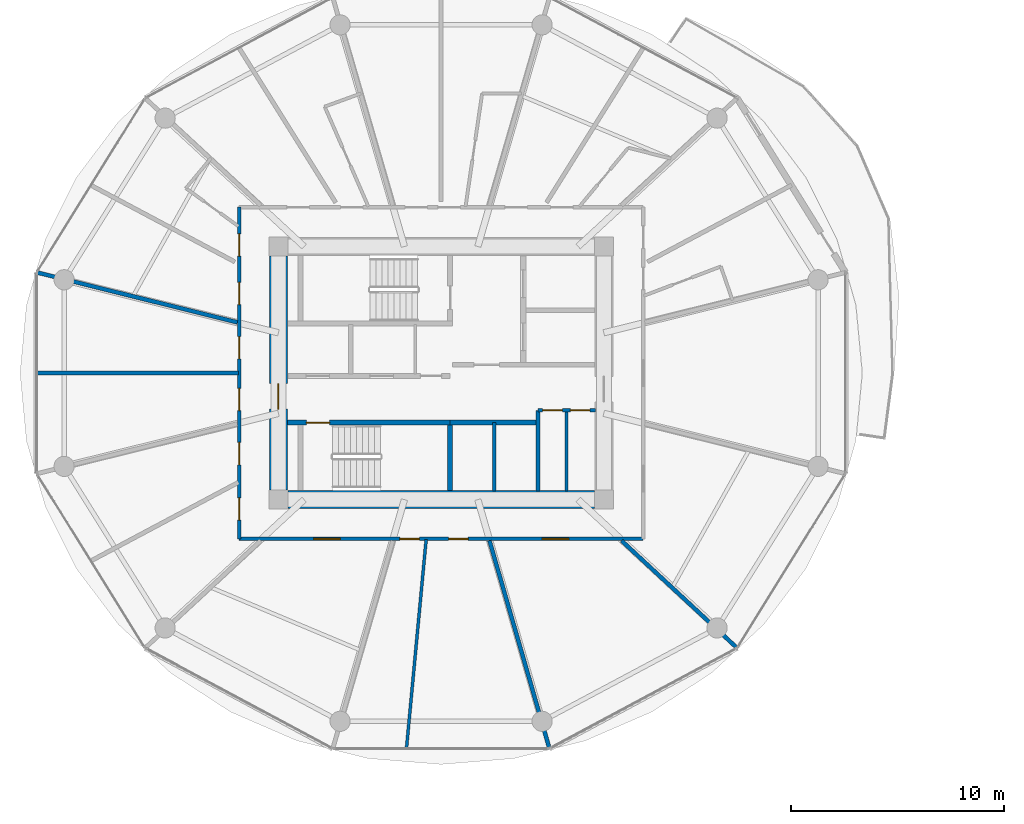
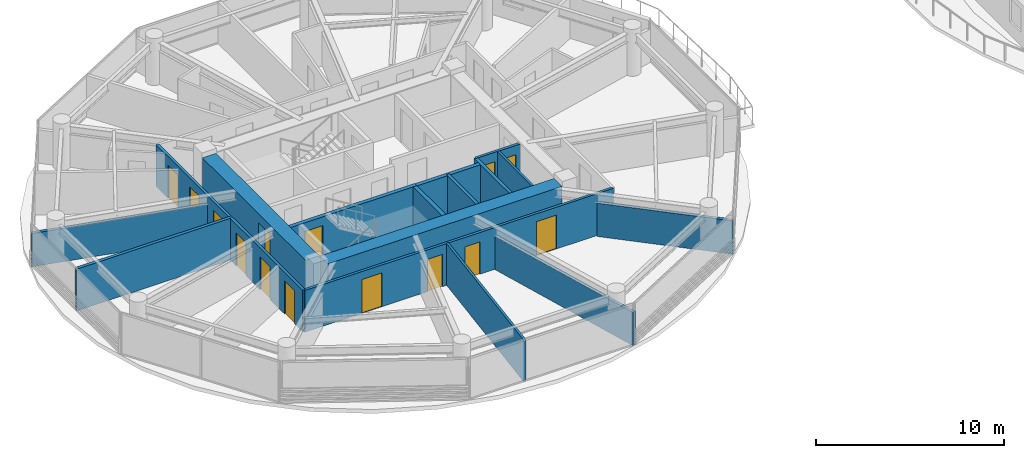
# One storey, part 15 of 26: 16 walls, 14 doors, 14 openings.
"""IFC4 building model written with IfcOpenShell, lengths in metres."""

from ifc_helpers import new_model, si_unit, direction, frame, frame_2d, origin, place, context, subcontext, project, spatial, rectangle, extrude, source, transform, mapped, material, layer, layer_set, type_object, type_shapes, element, fill, save


model = new_model("IFC4")

# Units and contexts
model_context = context("Model", 3, precision=1e-05, world=origin(), true_north=direction((0.0, 1.0)))
body_context = subcontext(model_context, "Body", "Model", "MODEL_VIEW")
ifc_project = project(units=[si_unit("LENGTHUNIT", "METRE"), si_unit("AREAUNIT", "SQUARE_METRE"), si_unit("VOLUMEUNIT", "CUBIC_METRE"), si_unit("PLANEANGLEUNIT", "RADIAN"), si_unit("MASSUNIT", "GRAM", prefix="KILO")], contexts=[model_context])

# Site, building, storey
site_placement = place(None, origin())
site = spatial("IfcSite", under=ifc_project, at=site_placement, CompositionType="ELEMENT")
building_placement = place(site_placement, origin())
building = spatial("IfcBuilding", under=site, at=building_placement, Name="Norrkilde Senior Care Towers", CompositionType="ELEMENT")
storey_placement = place(building_placement, frame((0.0, 0.0, 70.39990234375)))
storey = spatial("IfcBuildingStorey", under=building, at=storey_placement, Name="L21", CompositionType="ELEMENT", Elevation=70.39990234375)

# Wall
ifc_material_1 = material(Name="Concrete C60/75", Category="concrete")
ifc_layer_1 = layer(ifc_material_1, 0.85009765625)
ifc_layer_set_1 = layer_set([ifc_layer_1], Name="Concrete C60/75")
wall_type_1 = type_object("IfcWallType", Name="Core Shear Wall Z1 850", PredefinedType="SHEAR", material=ifc_layer_set_1)
shared_shape_1 = source(origin(), body_context, "Body", "SweptSolid", [
    extrude(rectangle(XDim=14.39990234375, YDim=0.85009765625, at=frame_2d((7.199951171875, 0.0))), origin(), (0.0, 0.0, 1.0), 2.72998046875),
])
wall_1_placement = place(storey_placement, frame((-20.800048828125, -5.949951171875, 0.0), z_axis=(0.0, 0.0, 1.0), x_axis=(-1.0, 0.0, 0.0)))
element("IfcWall", 1, at=wall_1_placement, inside=storey, type_object=wall_type_1, Name="L21 Core W South Shear Wall", PredefinedType="SHEAR", context=body_context, shape_type="MappedRepresentation", body=[
    mapped(shared_shape_1, transform((0.0, 0.0, 0.0), x_axis=(1.0, 0.0, 0.0), y_axis=(0.0, 1.0, 0.0), z_axis=(0.0, 0.0, 1.0), scale=1.0)),
])

# Wall, opening, door
shared_shape_2 = source(origin(), body_context, "Body", "SweptSolid", [
    extrude(rectangle(XDim=11.0, YDim=0.85009765625, at=frame_2d((5.5, 0.0))), origin(), (0.0, 0.0, 1.0), 2.72998046875),
])
type_shapes(wall_type_1, [shared_shape_1, shared_shape_2])
wall_2_placement = place(storey_placement, frame((-35.64990234375, -5.5, 0.0), z_axis=(0.0, 0.0, 1.0), x_axis=(0.0, 1.0, 0.0)))
wall_2 = element("IfcWall", 2, at=wall_2_placement, inside=storey, type_object=wall_type_1, Name="L21 Core W West Shear Wall", PredefinedType="SHEAR", context=body_context, shape_type="MappedRepresentation", body=[
    mapped(shared_shape_2, transform((0.0, 0.0, 0.0), x_axis=(1.0, 0.0, 0.0), y_axis=(0.0, 1.0, 0.0), z_axis=(0.0, 0.0, 1.0), scale=1.0)),
])
opening_1_placement = place(wall_2_placement, frame((3.800048828125, 0.0, 0.0)))
opening_1 = element("IfcOpeningElement", 3, at=opening_1_placement, cuts=wall_2, Name="Opening D-04", PredefinedType="OPENING", context=body_context, shape_type="SweptSolid", body=[
    extrude(rectangle(XDim=1.199951171875, YDim=2.14990234375, at=frame_2d((0.60009765625, 1.074951171875))), frame((0.0, 0.43505859375, 0.0), z_axis=(0.0, -1.0, 0.0), x_axis=(1.0, 0.0, 0.0)), (0.0, 0.0, 1.0), 0.8701171875),
])
ifc_material_2 = material(Name="Galvanised Painted Steel", Category="steel")
door_type_1 = type_object("IfcDoorType", Name="Firefighting Lobby Fire Door 1200x2150", OperationType="NOTDEFINED", PredefinedType="DOOR", material=ifc_material_2)
shared_shape_3 = source(origin(), body_context, "Body", "SweptSolid", [
    extrude(rectangle(XDim=1.199951171875, YDim=2.14990234375, at=frame_2d((0.60009765625, 1.074951171875))), frame((0.0, 0.02490234375, 0.0), z_axis=(0.0, -1.0, 0.0), x_axis=(1.0, 0.0, 0.0)), (0.0, 0.0, 1.0), 0.050048828125),
])
type_shapes(door_type_1, [shared_shape_3])
door_1_placement = place(opening_1_placement, frame((1.199951171875, 0.0, 0.0), z_axis=(0.0, 0.0, 1.0), x_axis=(-1.0, 0.0, 0.0)))
door_1 = element("IfcDoor", 4, at=door_1_placement, inside=storey, type_object=door_type_1, Name="L21 Core W West Portal Door", OperationType="SINGLE_SWING_LEFT", OverallHeight=2.14990234375, OverallWidth=1.199951171875, PredefinedType="DOOR", context=body_context, shape_type="MappedRepresentation", body=[
    mapped(shared_shape_3, transform((0.0, 0.0, 0.0), x_axis=(1.0, 0.0, 0.0), y_axis=(0.0, 1.0, 0.0), z_axis=(0.0, 0.0, 1.0), scale=1.0)),
])
fill(opening_1, door_1)

ifc_material_3 = material(Name="Concrete C45/55", Category="concrete")
ifc_layer_2 = layer(ifc_material_3, 0.239990234375)
ifc_layer_set_2 = layer_set([ifc_layer_2], Name="Concrete C45/55")
wall_type_2 = type_object("IfcWallType", Name="Shaft and Stair Enclosure Wall 240", PredefinedType="PARTITIONING", material=ifc_layer_set_2)
shared_shape_4 = source(origin(), body_context, "Body", "SweptSolid", [
    extrude(rectangle(XDim=7.76513671875, YDim=0.239990234375, at=frame_2d((3.882568359375, 0.0))), origin(), (0.0, 0.0, 1.0), 2.72998046875),
])
wall_3_placement = place(storey_placement, frame((-35.22509765625, -2.330078125, 0.0), z_axis=(0.0, 0.0, 1.0), x_axis=(1.0, 0.0, 0.0)))
wall_3 = element("IfcWall", 5, at=wall_3_placement, inside=storey, type_object=wall_type_2, Name="WL-INT-L21-W-ST2N", PredefinedType="PARTITIONING", context=body_context, shape_type="MappedRepresentation", body=[
    mapped(shared_shape_4, transform((0.0, 0.0, 0.0), x_axis=(1.0, 0.0, 0.0), y_axis=(0.0, 1.0, 0.0), z_axis=(0.0, 0.0, 1.0), scale=1.0)),
])
opening_2_placement = place(wall_3_placement, frame((0.885009765625, 0.0, 0.0)))
opening_2 = element("IfcOpeningElement", 6, at=opening_2_placement, cuts=wall_3, Name="Opening D-03", PredefinedType="OPENING", context=body_context, shape_type="SweptSolid", body=[
    extrude(rectangle(XDim=1.10009765625, YDim=2.14990234375, at=frame_2d((0.550048828125, 1.074951171875))), frame((0.0, 0.1298828125, 0.0), z_axis=(0.0, -1.0, 0.0), x_axis=(1.0, 0.0, 0.0)), (0.0, 0.0, 1.0), 0.260009765625),
])
door_type_2 = type_object("IfcDoorType", Name="Stairwell Protected Fire Door 1100x2150", OperationType="NOTDEFINED", PredefinedType="DOOR", material=ifc_material_2)
shared_shape_5 = source(origin(), body_context, "Body", "SweptSolid", [
    extrude(rectangle(XDim=1.10009765625, YDim=2.14990234375, at=frame_2d((0.550048828125, 1.074951171875))), frame((0.0, 0.02490234375, 0.0), z_axis=(0.0, -1.0, 0.0), x_axis=(1.0, 0.0, 0.0)), (0.0, 0.0, 1.0), 0.050048828125),
])
type_shapes(door_type_2, [shared_shape_5])
door_2_placement = place(opening_2_placement, frame((1.10009765625, 0.0, 0.0), z_axis=(0.0, 0.0, 1.0), x_axis=(-1.0, 0.0, 0.0)))
door_2 = element("IfcDoor", 7, at=door_2_placement, inside=storey, type_object=door_type_2, Name="L21 Stair W2 Fire Door", OperationType="SINGLE_SWING_RIGHT", OverallHeight=2.14990234375, OverallWidth=1.10009765625, PredefinedType="DOOR", context=body_context, shape_type="MappedRepresentation", body=[
    mapped(shared_shape_5, transform((0.0, 0.0, 0.0), x_axis=(1.0, 0.0, 0.0), y_axis=(0.0, 1.0, 0.0), z_axis=(0.0, 0.0, 1.0), scale=1.0)),
])
fill(opening_2, door_2)

# Walls
shared_shape_6 = source(origin(), body_context, "Body", "SweptSolid", [
    extrude(rectangle(XDim=3.074951171875, YDim=0.239990234375, at=frame_2d((1.53759765625, 0.0))), origin(), (0.0, 0.0, 1.0), 2.72998046875),
])
type_shapes(wall_type_2, [shared_shape_4, shared_shape_6])
wall_4_placement = place(storey_placement, frame((-27.580078125, -5.52490234375, 0.0), z_axis=(0.0, 0.0, 1.0), x_axis=(0.0, 1.0, 0.0)))
element("IfcWall", 8, at=wall_4_placement, inside=storey, type_object=wall_type_2, Name="WL-INT-L21-W-ST2E", PredefinedType="PARTITIONING", context=body_context, shape_type="MappedRepresentation", body=[
    mapped(shared_shape_6, transform((0.0, 0.0, 0.0), x_axis=(1.0, 0.0, 0.0), y_axis=(0.0, 1.0, 0.0), z_axis=(0.0, 0.0, 1.0), scale=1.0)),
])
ifc_layer_3 = layer(ifc_material_3, 0.199951171875)
ifc_layer_set_3 = layer_set([ifc_layer_3], Name="Concrete C45/55")
wall_type_3 = type_object("IfcWallType", Name="Shaft Division and Plant Partition 200", PredefinedType="PARTITIONING", material=ifc_layer_set_3)
shared_shape_7 = source(origin(), body_context, "Body", "SweptSolid", [
    extrude(rectangle(XDim=3.800048828125, YDim=0.199951171875, at=frame_2d((1.89990234375, 0.0))), origin(), (0.0, 0.0, 1.0), 2.715087890625),
])
type_shapes(wall_type_3, [shared_shape_7])
wall_5_placement = place(storey_placement, frame((-23.449951171875, -5.550048828125, 0.0), z_axis=(0.0, 0.0, 1.0), x_axis=(0.0, 1.0, 0.0)))
element("IfcWall", 9, at=wall_5_placement, inside=storey, type_object=wall_type_3, Name="WL-INT-L21-W-PKBE", PredefinedType="PARTITIONING", context=body_context, shape_type="MappedRepresentation", body=[
    mapped(shared_shape_7, transform((0.0, 0.0, 0.0), x_axis=(1.0, 0.0, 0.0), y_axis=(0.0, 1.0, 0.0), z_axis=(0.0, 0.0, 1.0), scale=1.0)),
])
ifc_layer_4 = layer(ifc_material_3, 0.239990234375)
ifc_layer_set_4 = layer_set([ifc_layer_4], Name="Concrete C45/55")
wall_type_4 = type_object("IfcWallType", Name="Lift and Plant Rated Enclosure Partition 240", PredefinedType="PARTITIONING", material=ifc_layer_set_4)
shared_shape_8 = source(origin(), body_context, "Body", "SweptSolid", [
    extrude(rectangle(XDim=4.130126953125, YDim=0.239990234375, at=frame_2d((2.06494140625, 0.0))), origin(), (0.0, 0.0, 1.0), 2.715087890625),
])
type_shapes(wall_type_4, [shared_shape_8])
wall_6_placement = place(storey_placement, frame((-27.580078125, -2.330078125, 0.0), z_axis=(0.0, 0.0, 1.0), x_axis=(1.0, 0.0, 0.0)))
element("IfcWall", 10, at=wall_6_placement, inside=storey, type_object=wall_type_4, Name="WL-INT-L21-W-PKBN", PredefinedType="PARTITIONING", context=body_context, shape_type="MappedRepresentation", body=[
    mapped(shared_shape_8, transform((0.0, 0.0, 0.0), x_axis=(1.0, 0.0, 0.0), y_axis=(0.0, 1.0, 0.0), z_axis=(0.0, 0.0, 1.0), scale=1.0)),
])
ifc_layer_5 = layer(ifc_material_3, 0.179931640625)
ifc_layer_set_5 = layer_set([ifc_layer_5], Name="Concrete C45/55")
wall_type_5 = type_object("IfcWallType", Name="Hoistway Division Rated Partition 180", PredefinedType="PARTITIONING", material=ifc_layer_set_5)
shared_shape_9 = source(origin(), body_context, "Body", "SweptSolid", [
    extrude(rectangle(XDim=3.219970703125, YDim=0.179931640625, at=frame_2d((1.60986328125, 0.0))), origin(), (0.0, 0.0, 1.0), 2.715087890625),
])
type_shapes(wall_type_5, [shared_shape_9])
wall_7_placement = place(storey_placement, frame((-25.5, -5.550048828125, 0.0), z_axis=(0.0, 0.0, 1.0), x_axis=(0.0, 1.0, 0.0)))
element("IfcWall", 11, at=wall_7_placement, inside=storey, type_object=wall_type_5, Name="WL-INT-L21-W-PL34", PredefinedType="PARTITIONING", context=body_context, shape_type="MappedRepresentation", body=[
    mapped(shared_shape_9, transform((0.0, 0.0, 0.0), x_axis=(1.0, 0.0, 0.0), y_axis=(0.0, 1.0, 0.0), z_axis=(0.0, 0.0, 1.0), scale=1.0)),
])

# Wall, openings, doors
ifc_material_4 = material(Name="Gypsum Acoustic Board")
ifc_layer_6 = layer(ifc_material_4, 0.1650390625)
ifc_layer_set_6 = layer_set([ifc_layer_6], Name="Gypsum Acoustic Board")
wall_type_6 = type_object("IfcWallType", Name="Corridor Rated Partition 165", PredefinedType="PARTITIONING", material=ifc_layer_set_6)
shared_shape_10 = source(origin(), body_context, "Body", "SweptSolid", [
    extrude(rectangle(XDim=2.699951171875, YDim=0.1650390625, at=frame_2d((1.35009765625, 0.0))), origin(), (0.0, 0.0, 1.0), 2.715087890625),
])
wall_8_placement = place(storey_placement, frame((-23.449951171875, -1.75, 0.0), z_axis=(0.0, 0.0, 1.0), x_axis=(1.0, 0.0, 0.0)))
wall_8 = element("IfcWall", 12, at=wall_8_placement, inside=storey, type_object=wall_type_6, Name="WL-INT-L21-W-CSN", PredefinedType="PARTITIONING", context=body_context, shape_type="MappedRepresentation", body=[
    mapped(shared_shape_10, transform((0.0, 0.0, 0.0), x_axis=(1.0, 0.0, 0.0), y_axis=(0.0, 1.0, 0.0), z_axis=(0.0, 0.0, 1.0), scale=1.0)),
])
opening_3_placement = place(wall_8_placement, frame((0.222412109375, 0.0, 0.0)))
opening_3 = element("IfcOpeningElement", 13, at=opening_3_placement, cuts=wall_8, Name="Opening D-12", PredefinedType="OPENING", context=body_context, shape_type="SweptSolid", body=[
    extrude(rectangle(XDim=0.925048828125, YDim=2.10009765625, at=frame_2d((0.46240234375, 1.050048828125))), frame((0.0, 0.092529296875, 0.0), z_axis=(0.0, -1.0, 0.0), x_axis=(1.0, 0.0, 0.0)), (0.0, 0.0, 1.0), 0.18505859375),
])
opening_4_placement = place(wall_8_placement, frame((1.5224609375, 0.0, 0.0)))
opening_4 = element("IfcOpeningElement", 14, at=opening_4_placement, cuts=wall_8, Name="Opening D-12", PredefinedType="OPENING", context=body_context, shape_type="SweptSolid", body=[
    extrude(rectangle(XDim=0.925048828125, YDim=2.10009765625, at=frame_2d((0.46240234375, 1.050048828125))), frame((0.0, 0.092529296875, 0.0), z_axis=(0.0, -1.0, 0.0), x_axis=(1.0, 0.0, 0.0)), (0.0, 0.0, 1.0), 0.18505859375),
])
door_type_3 = type_object("IfcDoorType", Name="Core Wet Room Rated Door 925x2100", OperationType="NOTDEFINED", PredefinedType="DOOR", material=ifc_material_2)
shared_shape_11 = source(origin(), body_context, "Body", "SweptSolid", [
    extrude(rectangle(XDim=0.925048828125, YDim=2.10009765625, at=frame_2d((0.46240234375, 1.050048828125))), frame((0.0, 0.02490234375, 0.0), z_axis=(0.0, -1.0, 0.0), x_axis=(1.0, 0.0, 0.0)), (0.0, 0.0, 1.0), 0.050048828125),
])
type_shapes(door_type_3, [shared_shape_11])
door_3_placement = place(opening_3_placement, origin())
door_3 = element("IfcDoor", 15, at=door_3_placement, inside=storey, type_object=door_type_3, Name="L21 Staff Accessible WC W Door", OperationType="SINGLE_SWING_LEFT", OverallHeight=2.10009765625, OverallWidth=0.925048828125, PredefinedType="DOOR", context=body_context, shape_type="MappedRepresentation", body=[
    mapped(shared_shape_11, transform((0.0, 0.0, 0.0), x_axis=(1.0, 0.0, 0.0), y_axis=(0.0, 1.0, 0.0), z_axis=(0.0, 0.0, 1.0), scale=1.0)),
])
fill(opening_3, door_3)
door_4_placement = place(opening_4_placement, origin())
door_4 = element("IfcDoor", 16, at=door_4_placement, inside=storey, type_object=door_type_3, Name="L21 Housekeeping Store W Door", OperationType="SINGLE_SWING_RIGHT", OverallHeight=2.10009765625, OverallWidth=0.925048828125, PredefinedType="DOOR", context=body_context, shape_type="MappedRepresentation", body=[
    mapped(shared_shape_11, transform((0.0, 0.0, 0.0), x_axis=(1.0, 0.0, 0.0), y_axis=(0.0, 1.0, 0.0), z_axis=(0.0, 0.0, 1.0), scale=1.0)),
])
fill(opening_4, door_4)

# Wall
ifc_layer_7 = layer(ifc_material_4, 0.139892578125)
ifc_layer_set_7 = layer_set([ifc_layer_7], Name="Gypsum Acoustic Board")
wall_type_7 = type_object("IfcWallType", Name="En-suite Wet Room Wall 140", PredefinedType="PARTITIONING", material=ifc_layer_set_7)
shared_shape_12 = source(origin(), body_context, "Body", "SweptSolid", [
    extrude(rectangle(XDim=3.800048828125, YDim=0.139892578125, at=frame_2d((1.89990234375, 0.0))), origin(), (0.0, 0.0, 1.0), 2.715087890625),
])
wall_9_placement = place(storey_placement, frame((-22.10009765625, -5.550048828125, 0.0), z_axis=(0.0, 0.0, 1.0), x_axis=(0.0, 1.0, 0.0)))
element("IfcWall", 17, at=wall_9_placement, inside=storey, type_object=wall_type_7, Name="WL-INT-L21-W-CS1V", PredefinedType="PARTITIONING", context=body_context, shape_type="MappedRepresentation", body=[
    mapped(shared_shape_12, transform((0.0, 0.0, 0.0), x_axis=(1.0, 0.0, 0.0), y_axis=(0.0, 1.0, 0.0), z_axis=(0.0, 0.0, 1.0), scale=1.0)),
])

# Wall, openings, doors
shared_shape_13 = source(origin(), body_context, "Body", "SweptSolid", [
    extrude(rectangle(XDim=19.0, YDim=0.1650390625, at=frame_2d((9.5, 0.0))), origin(), (0.0, 0.0, 1.0), 2.715087890625),
])
wall_10_placement = place(storey_placement, frame((-18.5, -7.800048828125, 0.0), z_axis=(0.0, 0.0, 1.0), x_axis=(-1.0, 0.0, 0.0)))
wall_10 = element("IfcWall", 18, at=wall_10_placement, inside=storey, type_object=wall_type_6, Name="WL-INT-L21-W-CRW-S-0", PredefinedType="PARTITIONING", context=body_context, shape_type="MappedRepresentation", body=[
    mapped(shared_shape_13, transform((0.0, 0.0, 0.0), x_axis=(1.0, 0.0, 0.0), y_axis=(0.0, 1.0, 0.0), z_axis=(0.0, 0.0, 1.0), scale=1.0)),
])
opening_5_placement = place(wall_10_placement, frame((14.244384765625, 0.0, 0.0)))
opening_5 = element("IfcOpeningElement", 19, at=opening_5_placement, cuts=wall_10, Name="Opening D-05", PredefinedType="OPENING", context=body_context, shape_type="SweptSolid", body=[
    extrude(rectangle(XDim=1.25, YDim=2.199951171875, at=frame_2d((0.625, 1.10009765625))), frame((0.0, 0.092529296875, 0.0), z_axis=(0.0, -1.0, 0.0), x_axis=(1.0, 0.0, 0.0)), (0.0, 0.0, 1.0), 0.18505859375),
])
opening_6_placement = place(wall_10_placement, frame((10.523193359375, 0.0, 0.0)))
opening_6 = element("IfcOpeningElement", 20, at=opening_6_placement, cuts=wall_10, Name="Opening D-08", PredefinedType="OPENING", context=body_context, shape_type="SweptSolid", body=[
    extrude(rectangle(XDim=0.919921875, YDim=2.10009765625, at=frame_2d((0.4599609375, 1.050048828125))), frame((0.0, 0.092529296875, 0.0), z_axis=(0.0, -1.0, 0.0), x_axis=(1.0, 0.0, 0.0)), (0.0, 0.0, 1.0), 0.18505859375),
])
opening_7_placement = place(wall_10_placement, frame((8.2255859375, 0.0, 0.0)))
opening_7 = element("IfcOpeningElement", 21, at=opening_7_placement, cuts=wall_10, Name="Opening D-08", PredefinedType="OPENING", context=body_context, shape_type="SweptSolid", body=[
    extrude(rectangle(XDim=0.919921875, YDim=2.10009765625, at=frame_2d((0.4599609375, 1.050048828125))), frame((0.0, 0.092529296875, 0.0), z_axis=(0.0, -1.0, 0.0), x_axis=(1.0, 0.0, 0.0)), (0.0, 0.0, 1.0), 0.18505859375),
])
opening_8_placement = place(wall_10_placement, frame((3.505615234375, 0.0, 0.0)))
opening_8 = element("IfcOpeningElement", 22, at=opening_8_placement, cuts=wall_10, Name="Opening D-05", PredefinedType="OPENING", context=body_context, shape_type="SweptSolid", body=[
    extrude(rectangle(XDim=1.25, YDim=2.199951171875, at=frame_2d((0.625, 1.10009765625))), frame((0.0, 0.092529296875, 0.0), z_axis=(0.0, -1.0, 0.0), x_axis=(1.0, 0.0, 0.0)), (0.0, 0.0, 1.0), 0.18505859375),
])
ifc_material_5 = material(Name="Nordic Ash Timber", Category="wood")
door_type_4 = type_object("IfcDoorType", Name="Care Bedroom Bariatric Door 1250x2200", OperationType="NOTDEFINED", PredefinedType="DOOR", material=ifc_material_5)
shared_shape_14 = source(origin(), body_context, "Body", "SweptSolid", [
    extrude(rectangle(XDim=1.25, YDim=2.199951171875, at=frame_2d((0.625, 1.10009765625))), frame((0.0, 0.02490234375, 0.0), z_axis=(0.0, -1.0, 0.0), x_axis=(1.0, 0.0, 0.0)), (0.0, 0.0, 1.0), 0.050048828125),
])
type_shapes(door_type_4, [shared_shape_14])
door_5_placement = place(opening_5_placement, frame((1.25, 0.0, 0.0), z_axis=(0.0, 0.0, 1.0), x_axis=(-1.0, 0.0, 0.0)))
door_5 = element("IfcDoor", 23, at=door_5_placement, inside=storey, type_object=door_type_4, Name="L21 Geriatric Rehabilitation Clinic Door", OperationType="SINGLE_SWING_RIGHT", OverallHeight=2.199951171875, OverallWidth=1.25, PredefinedType="DOOR", context=body_context, shape_type="MappedRepresentation", body=[
    mapped(shared_shape_14, transform((0.0, 0.0, 0.0), x_axis=(1.0, 0.0, 0.0), y_axis=(0.0, 1.0, 0.0), z_axis=(0.0, 0.0, 1.0), scale=1.0)),
])
fill(opening_5, door_5)
door_6_placement = place(opening_8_placement, frame((1.25, 0.0, 0.0), z_axis=(0.0, 0.0, 1.0), x_axis=(-1.0, 0.0, 0.0)))
door_6 = element("IfcDoor", 24, at=door_6_placement, inside=storey, type_object=door_type_4, Name="L21 Resident Therapeutic Day Lounge Door", OperationType="SINGLE_SWING_RIGHT", OverallHeight=2.199951171875, OverallWidth=1.25, PredefinedType="DOOR", context=body_context, shape_type="MappedRepresentation", body=[
    mapped(shared_shape_14, transform((0.0, 0.0, 0.0), x_axis=(1.0, 0.0, 0.0), y_axis=(0.0, 1.0, 0.0), z_axis=(0.0, 0.0, 1.0), scale=1.0)),
])
fill(opening_8, door_6)
door_type_5 = type_object("IfcDoorType", Name="Accessible Wet Room Door 920x2100", OperationType="NOTDEFINED", PredefinedType="DOOR", material=ifc_material_5)
shared_shape_15 = source(origin(), body_context, "Body", "SweptSolid", [
    extrude(rectangle(XDim=0.919921875, YDim=2.10009765625, at=frame_2d((0.4599609375, 1.050048828125))), frame((0.0, 0.02490234375, 0.0), z_axis=(0.0, -1.0, 0.0), x_axis=(1.0, 0.0, 0.0)), (0.0, 0.0, 1.0), 0.050048828125),
])
type_shapes(door_type_5, [shared_shape_15])
door_7_placement = place(opening_6_placement, frame((0.919921875, 0.0, 0.0), z_axis=(0.0, 0.0, 1.0), x_axis=(-1.0, 0.0, 0.0)))
door_7 = element("IfcDoor", 25, at=door_7_placement, inside=storey, type_object=door_type_5, Name="L21 Accessible Restroom Door", OperationType="SINGLE_SWING_LEFT", OverallHeight=2.10009765625, OverallWidth=0.919921875, PredefinedType="DOOR", context=body_context, shape_type="MappedRepresentation", body=[
    mapped(shared_shape_15, transform((0.0, 0.0, 0.0), x_axis=(1.0, 0.0, 0.0), y_axis=(0.0, 1.0, 0.0), z_axis=(0.0, 0.0, 1.0), scale=1.0)),
])
fill(opening_6, door_7)
door_8_placement = place(opening_7_placement, frame((0.919921875, 0.0, 0.0), z_axis=(0.0, 0.0, 1.0), x_axis=(-1.0, 0.0, 0.0)))
door_8 = element("IfcDoor", 26, at=door_8_placement, inside=storey, type_object=door_type_5, Name="L21 Public Restroom Door", OperationType="SINGLE_SWING_RIGHT", OverallHeight=2.10009765625, OverallWidth=0.919921875, PredefinedType="DOOR", context=body_context, shape_type="MappedRepresentation", body=[
    mapped(shared_shape_15, transform((0.0, 0.0, 0.0), x_axis=(1.0, 0.0, 0.0), y_axis=(0.0, 1.0, 0.0), z_axis=(0.0, 0.0, 1.0), scale=1.0)),
])
fill(opening_7, door_8)

shared_shape_16 = source(origin(), body_context, "Body", "SweptSolid", [
    extrude(rectangle(XDim=15.60009765625, YDim=0.1650390625, at=frame_2d((7.800048828125, 0.0))), origin(), (0.0, 0.0, 1.0), 2.715087890625),
])
type_shapes(wall_type_6, [shared_shape_10, shared_shape_13, shared_shape_16])
wall_11_placement = place(storey_placement, frame((-37.5, -7.800048828125, 0.0), z_axis=(0.0, 0.0, 1.0), x_axis=(0.0, 1.0, 0.0)))
wall_11 = element("IfcWall", 27, at=wall_11_placement, inside=storey, type_object=wall_type_6, Name="WL-INT-L21-W-CRW-W-0", PredefinedType="PARTITIONING", context=body_context, shape_type="MappedRepresentation", body=[
    mapped(shared_shape_16, transform((0.0, 0.0, 0.0), x_axis=(1.0, 0.0, 0.0), y_axis=(0.0, 1.0, 0.0), z_axis=(0.0, 0.0, 1.0), scale=1.0)),
])
opening_9_placement = place(wall_11_placement, frame((3.489013671875, 0.0, 0.0)))
opening_9 = element("IfcOpeningElement", 28, at=opening_9_placement, cuts=wall_11, Name="Opening D-06", PredefinedType="OPENING", context=body_context, shape_type="SweptSolid", body=[
    extrude(rectangle(XDim=1.050048828125, YDim=2.14990234375, at=frame_2d((0.52490234375, 1.074951171875))), frame((0.0, 0.092529296875, 0.0), z_axis=(0.0, -1.0, 0.0), x_axis=(1.0, 0.0, 0.0)), (0.0, 0.0, 1.0), 0.18505859375),
])
opening_10_placement = place(wall_11_placement, frame((0.881591796875, 0.0, 0.0)))
opening_10 = element("IfcOpeningElement", 29, at=opening_10_placement, cuts=wall_11, Name="Opening D-06", PredefinedType="OPENING", context=body_context, shape_type="SweptSolid", body=[
    extrude(rectangle(XDim=1.050048828125, YDim=2.14990234375, at=frame_2d((0.52490234375, 1.074951171875))), frame((0.0, 0.092529296875, 0.0), z_axis=(0.0, -1.0, 0.0), x_axis=(1.0, 0.0, 0.0)), (0.0, 0.0, 1.0), 0.18505859375),
])
opening_11_placement = place(wall_11_placement, frame((13.293212890625, 0.0, 0.0)))
opening_11 = element("IfcOpeningElement", 30, at=opening_11_placement, cuts=wall_11, Name="Opening D-06", PredefinedType="OPENING", context=body_context, shape_type="SweptSolid", body=[
    extrude(rectangle(XDim=1.050048828125, YDim=2.14990234375, at=frame_2d((0.52490234375, 1.074951171875))), frame((0.0, 0.092529296875, 0.0), z_axis=(0.0, -1.0, 0.0), x_axis=(1.0, 0.0, 0.0)), (0.0, 0.0, 1.0), 0.18505859375),
])
opening_12_placement = place(wall_11_placement, frame((11.017822265625, 0.0, 0.0)))
opening_12 = element("IfcOpeningElement", 31, at=opening_12_placement, cuts=wall_11, Name="Opening D-06", PredefinedType="OPENING", context=body_context, shape_type="SweptSolid", body=[
    extrude(rectangle(XDim=1.050048828125, YDim=2.14990234375, at=frame_2d((0.52490234375, 1.074951171875))), frame((0.0, 0.092529296875, 0.0), z_axis=(0.0, -1.0, 0.0), x_axis=(1.0, 0.0, 0.0)), (0.0, 0.0, 1.0), 0.18505859375),
])
opening_13_placement = place(wall_11_placement, frame((8.467041015625, 0.0, 0.0)))
opening_13 = element("IfcOpeningElement", 32, at=opening_13_placement, cuts=wall_11, Name="Opening D-06", PredefinedType="OPENING", context=body_context, shape_type="SweptSolid", body=[
    extrude(rectangle(XDim=1.050048828125, YDim=2.14990234375, at=frame_2d((0.52490234375, 1.074951171875))), frame((0.0, 0.092529296875, 0.0), z_axis=(0.0, -1.0, 0.0), x_axis=(1.0, 0.0, 0.0)), (0.0, 0.0, 1.0), 0.18505859375),
])
opening_14_placement = place(wall_11_placement, frame((6.03466796875, 0.0, 0.0)))
opening_14 = element("IfcOpeningElement", 33, at=opening_14_placement, cuts=wall_11, Name="Opening D-06", PredefinedType="OPENING", context=body_context, shape_type="SweptSolid", body=[
    extrude(rectangle(XDim=1.050048828125, YDim=2.14990234375, at=frame_2d((0.52490234375, 1.074951171875))), frame((0.0, 0.092529296875, 0.0), z_axis=(0.0, -1.0, 0.0), x_axis=(1.0, 0.0, 0.0)), (0.0, 0.0, 1.0), 0.18505859375),
])
door_type_6 = type_object("IfcDoorType", Name="Apartment Entrance Fire Door 1050x2150", OperationType="NOTDEFINED", PredefinedType="DOOR", material=ifc_material_5)
shared_shape_17 = source(origin(), body_context, "Body", "SweptSolid", [
    extrude(rectangle(XDim=1.050048828125, YDim=2.14990234375, at=frame_2d((0.52490234375, 1.074951171875))), frame((0.0, 0.02490234375, 0.0), z_axis=(0.0, -1.0, 0.0), x_axis=(1.0, 0.0, 0.0)), (0.0, 0.0, 1.0), 0.050048828125),
])
type_shapes(door_type_6, [shared_shape_17])
door_9_placement = place(opening_9_placement, frame((1.050048828125, 0.0, 0.0), z_axis=(0.0, 0.0, 1.0), x_axis=(-1.0, 0.0, 0.0)))
door_9 = element("IfcDoor", 34, at=door_9_placement, inside=storey, type_object=door_type_6, Name="L21 Physiotherapy Clinic 6A Door", OperationType="SINGLE_SWING_LEFT", OverallHeight=2.14990234375, OverallWidth=1.050048828125, PredefinedType="DOOR", context=body_context, shape_type="MappedRepresentation", body=[
    mapped(shared_shape_17, transform((0.0, 0.0, 0.0), x_axis=(1.0, 0.0, 0.0), y_axis=(0.0, 1.0, 0.0), z_axis=(0.0, 0.0, 1.0), scale=1.0)),
])
fill(opening_9, door_9)
door_10_placement = place(opening_10_placement, frame((1.050048828125, 0.0, 0.0), z_axis=(0.0, 0.0, 1.0), x_axis=(-1.0, 0.0, 0.0)))
door_10 = element("IfcDoor", 35, at=door_10_placement, inside=storey, type_object=door_type_6, Name="L21 Assessment Clinic 6B Door", OperationType="SINGLE_SWING_RIGHT", OverallHeight=2.14990234375, OverallWidth=1.050048828125, PredefinedType="DOOR", context=body_context, shape_type="MappedRepresentation", body=[
    mapped(shared_shape_17, transform((0.0, 0.0, 0.0), x_axis=(1.0, 0.0, 0.0), y_axis=(0.0, 1.0, 0.0), z_axis=(0.0, 0.0, 1.0), scale=1.0)),
])
fill(opening_10, door_10)
door_11_placement = place(opening_11_placement, frame((1.050048828125, 0.0, 0.0), z_axis=(0.0, 0.0, 1.0), x_axis=(-1.0, 0.0, 0.0)))
door_11 = element("IfcDoor", 36, at=door_11_placement, inside=storey, type_object=door_type_6, Name="L21 Care Suite 2104A Entrance Door", OperationType="SINGLE_SWING_LEFT", OverallHeight=2.14990234375, OverallWidth=1.050048828125, PredefinedType="DOOR", context=body_context, shape_type="MappedRepresentation", body=[
    mapped(shared_shape_17, transform((0.0, 0.0, 0.0), x_axis=(1.0, 0.0, 0.0), y_axis=(0.0, 1.0, 0.0), z_axis=(0.0, 0.0, 1.0), scale=1.0)),
])
fill(opening_11, door_11)
door_12_placement = place(opening_12_placement, frame((1.050048828125, 0.0, 0.0), z_axis=(0.0, 0.0, 1.0), x_axis=(-1.0, 0.0, 0.0)))
door_12 = element("IfcDoor", 37, at=door_12_placement, inside=storey, type_object=door_type_6, Name="L21 Therapy Day Lounge 04 Door", OperationType="SINGLE_SWING_RIGHT", OverallHeight=2.14990234375, OverallWidth=1.050048828125, PredefinedType="DOOR", context=body_context, shape_type="MappedRepresentation", body=[
    mapped(shared_shape_17, transform((0.0, 0.0, 0.0), x_axis=(1.0, 0.0, 0.0), y_axis=(0.0, 1.0, 0.0), z_axis=(0.0, 0.0, 1.0), scale=1.0)),
])
fill(opening_12, door_12)
door_13_placement = place(opening_13_placement, frame((1.050048828125, 0.0, 0.0), z_axis=(0.0, 0.0, 1.0), x_axis=(-1.0, 0.0, 0.0)))
door_13 = element("IfcDoor", 38, at=door_13_placement, inside=storey, type_object=door_type_6, Name="L21 Physiotherapy Clinic 5A Door", OperationType="SINGLE_SWING_RIGHT", OverallHeight=2.14990234375, OverallWidth=1.050048828125, PredefinedType="DOOR", context=body_context, shape_type="MappedRepresentation", body=[
    mapped(shared_shape_17, transform((0.0, 0.0, 0.0), x_axis=(1.0, 0.0, 0.0), y_axis=(0.0, 1.0, 0.0), z_axis=(0.0, 0.0, 1.0), scale=1.0)),
])
fill(opening_13, door_13)
door_14_placement = place(opening_14_placement, frame((1.050048828125, 0.0, 0.0), z_axis=(0.0, 0.0, 1.0), x_axis=(-1.0, 0.0, 0.0)))
door_14 = element("IfcDoor", 39, at=door_14_placement, inside=storey, type_object=door_type_6, Name="L21 Assessment Clinic 5B Door", OperationType="SINGLE_SWING_LEFT", OverallHeight=2.14990234375, OverallWidth=1.050048828125, PredefinedType="DOOR", context=body_context, shape_type="MappedRepresentation", body=[
    mapped(shared_shape_17, transform((0.0, 0.0, 0.0), x_axis=(1.0, 0.0, 0.0), y_axis=(0.0, 1.0, 0.0), z_axis=(0.0, 0.0, 1.0), scale=1.0)),
])
fill(opening_14, door_14)

# Walls
ifc_layer_8 = layer(ifc_material_4, 0.18994140625)
ifc_layer_set_8 = layer_set([ifc_layer_8], Name="Gypsum Acoustic Board")
wall_type_8 = type_object("IfcWallType", Name="Unit Demising Acoustic Wall 190", PredefinedType="PARTITIONING", material=ifc_layer_set_8)
shared_shape_18 = source(origin(), body_context, "Body", "SweptSolid", [
    extrude(rectangle(XDim=9.737060546875, YDim=0.18994140625, at=frame_2d((4.86865234375, 0.0))), origin(), (0.0, 0.0, 1.0), 2.1650390625),
])
wall_12_placement = place(storey_placement, frame((-37.580078125, 2.384521484375, 0.0), z_axis=(0.0, 0.0, 1.0), x_axis=(-0.970392716238, 0.241532557375, 0.0)))
element("IfcWall", 40, at=wall_12_placement, inside=storey, type_object=wall_type_8, Name="WL-INT-L21-W-DEM-05-0", PredefinedType="PARTITIONING", context=body_context, shape_type="MappedRepresentation", body=[
    mapped(shared_shape_18, transform((0.0, 0.0, 0.0), x_axis=(1.0, 0.0, 0.0), y_axis=(0.0, 1.0, 0.0), z_axis=(0.0, 0.0, 1.0), scale=1.0)),
])
shared_shape_19 = source(origin(), body_context, "Body", "SweptSolid", [
    extrude(rectangle(XDim=7.4345703125, YDim=0.18994140625, at=frame_2d((3.71728515625, 0.0))), origin(), (0.0, 0.0, 1.0), 2.1650390625),
])
wall_13_placement = place(storey_placement, frame((-19.51708984375, -7.8798828125, 0.0), z_axis=(0.0, 0.0, 1.0), x_axis=(0.732651956848, -0.680603489652, 0.0)))
element("IfcWall", 41, at=wall_13_placement, inside=storey, type_object=wall_type_8, Name="WL-INT-L21-W-DEM-10-0", PredefinedType="PARTITIONING", context=body_context, shape_type="MappedRepresentation", body=[
    mapped(shared_shape_19, transform((0.0, 0.0, 0.0), x_axis=(1.0, 0.0, 0.0), y_axis=(0.0, 1.0, 0.0), z_axis=(0.0, 0.0, 1.0), scale=1.0)),
])
shared_shape_20 = source(origin(), body_context, "Body", "SweptSolid", [
    extrude(rectangle(XDim=10.196044921875, YDim=0.18994140625, at=frame_2d((5.09814453125, 0.0))), origin(), (0.0, 0.0, 1.0), 2.1650390625),
])
wall_14_placement = place(storey_placement, frame((-25.72705078125, -7.8798828125, 0.0), z_axis=(0.0, 0.0, 1.0), x_axis=(0.277136420347, -0.960830580549, 0.0)))
element("IfcWall", 42, at=wall_14_placement, inside=storey, type_object=wall_type_8, Name="WL-INT-L21-W-DEM-09-0", PredefinedType="PARTITIONING", context=body_context, shape_type="MappedRepresentation", body=[
    mapped(shared_shape_20, transform((0.0, 0.0, 0.0), x_axis=(1.0, 0.0, 0.0), y_axis=(0.0, 1.0, 0.0), z_axis=(0.0, 0.0, 1.0), scale=1.0)),
])
shared_shape_21 = source(origin(), body_context, "Body", "SweptSolid", [
    extrude(rectangle(XDim=9.89013671875, YDim=0.139892578125, at=frame_2d((4.945068359375, 0.0))), origin(), (0.0, 0.0, 1.0), 2.715087890625),
])
type_shapes(wall_type_7, [shared_shape_12, shared_shape_21])
wall_15_placement = place(storey_placement, frame((-28.7041015625, -7.830078125, 0.0), z_axis=(0.0, 0.0, 1.0), x_axis=(-0.093780403478, -0.995592906726, 0.0)))
element("IfcWall", 43, at=wall_15_placement, inside=storey, type_object=wall_type_7, Name="WL-INT-L21-W-MID-08", PredefinedType="PARTITIONING", context=body_context, shape_type="MappedRepresentation", body=[
    mapped(shared_shape_21, transform((0.0, 0.0, 0.0), x_axis=(1.0, 0.0, 0.0), y_axis=(0.0, 1.0, 0.0), z_axis=(0.0, 0.0, 1.0), scale=1.0)),
])
shared_shape_22 = source(origin(), body_context, "Body", "SweptSolid", [
    extrude(rectangle(XDim=9.498779296875, YDim=0.18994140625, at=frame_2d((4.74951171875, 0.0))), origin(), (0.0, 0.0, 1.0), 2.715087890625),
])
type_shapes(wall_type_8, [shared_shape_18, shared_shape_19, shared_shape_20, shared_shape_22])
wall_16_placement = place(storey_placement, frame((-37.530029296875, 0.0, 0.0), z_axis=(0.0, 0.0, 1.0), x_axis=(-1.0, 0.0, 0.0)))
element("IfcWall", 44, at=wall_16_placement, inside=storey, type_object=wall_type_8, Name="WL-INT-L21-W-MID-05", PredefinedType="PARTITIONING", context=body_context, shape_type="MappedRepresentation", body=[
    mapped(shared_shape_22, transform((0.0, 0.0, 0.0), x_axis=(1.0, 0.0, 0.0), y_axis=(0.0, 1.0, 0.0), z_axis=(0.0, 0.0, 1.0), scale=1.0)),
])

save(model, "model.ifc")
